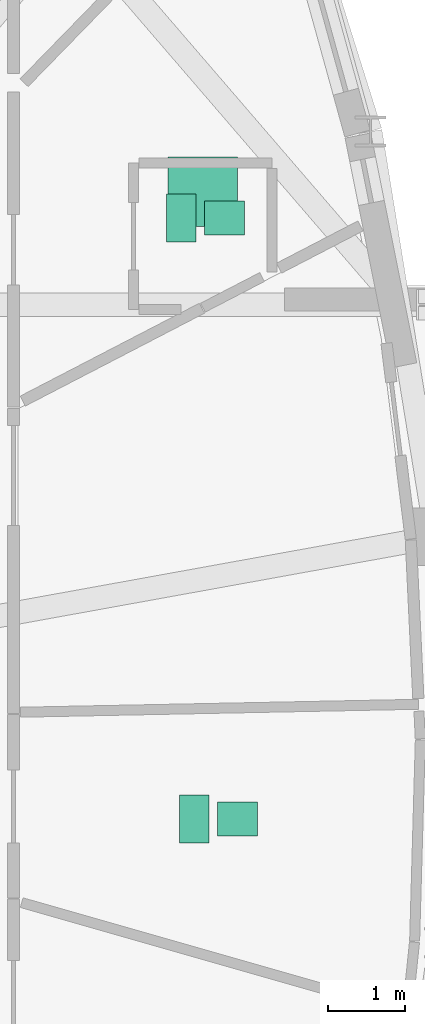
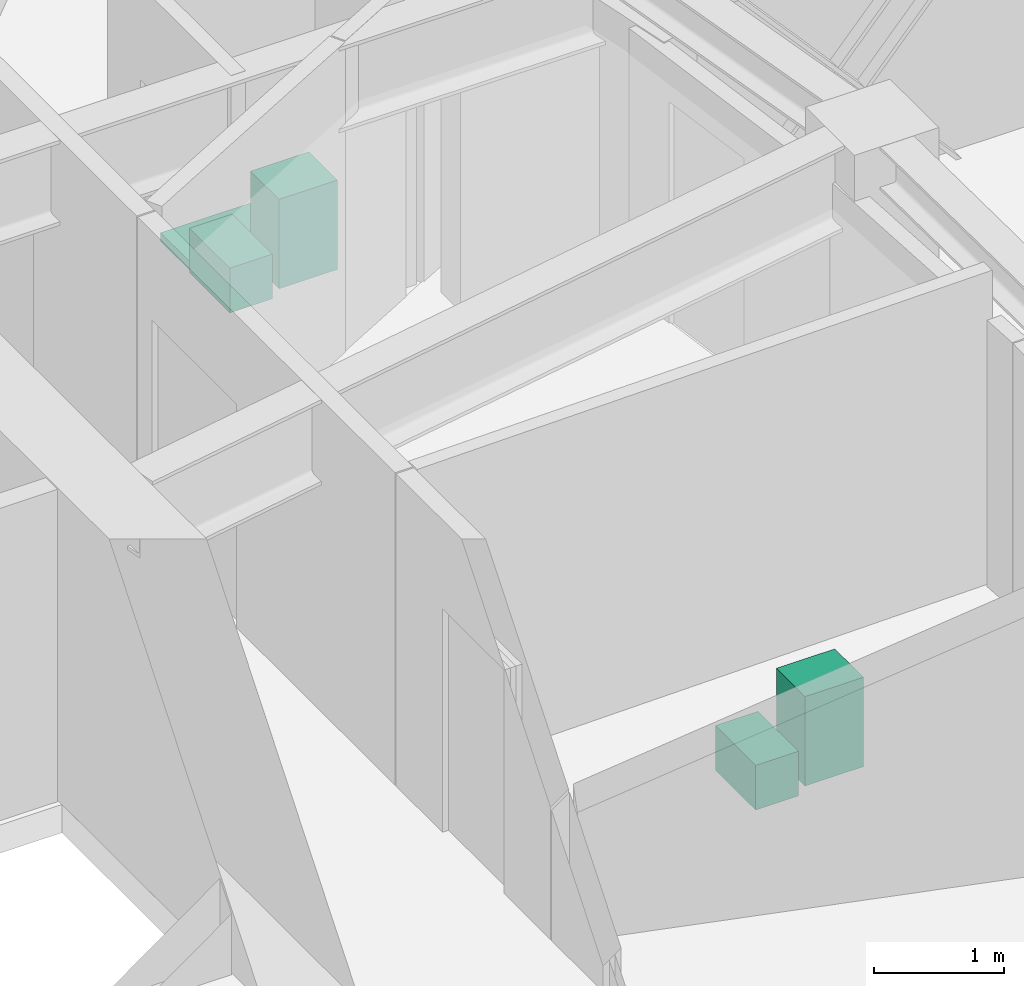
# One storey, part 13 of 13: 5 sanitary terminals.
"""IFC4 building model written with IfcOpenShell, lengths in metres."""

from ifc_helpers import new_model, si_unit, direction, frame, origin, origin_2d, place, context, subcontext, project, spatial, rectangle, extrude, source, transform, mapped, material, type_object, element, save


model = new_model("IFC4")

# Units and contexts
model_context = context("Model", 3, precision=1e-05, world=origin(), true_north=direction((0.0, 1.0)))
body_context = subcontext(model_context, "Body", "Model", "MODEL_VIEW")
ifc_project = project(units=[si_unit("LENGTHUNIT", "METRE"), si_unit("AREAUNIT", "SQUARE_METRE"), si_unit("VOLUMEUNIT", "CUBIC_METRE"), si_unit("PLANEANGLEUNIT", "RADIAN"), si_unit("MASSUNIT", "GRAM", prefix="KILO")], contexts=[model_context])

# Site, building, storey
site_placement = place(None, origin())
site = spatial("IfcSite", under=ifc_project, at=site_placement, CompositionType="ELEMENT")
building_placement = place(site_placement, origin())
building = spatial("IfcBuilding", under=site, at=building_placement, Name="Qafzar Sky-Pleat Residences", CompositionType="ELEMENT")
storey_placement = place(building_placement, frame((0.0, 0.0, 155.39990234375)))
storey = spatial("IfcBuildingStorey", under=building, at=storey_placement, Name="L46", CompositionType="ELEMENT", Elevation=155.39990234375)

# Sanitary terminals
ifc_material_1 = material(Name="Vitreous china sanitaryware")
sanitary_terminal_type_1 = type_object("IfcSanitaryTerminalType", Name="SAN-WC-PAN", PredefinedType="TOILETPAN", material=ifc_material_1)
shared_shape_1 = source(origin(), body_context, "Body", "SweptSolid", [
    extrude(rectangle(XDim=0.3798828125, YDim=0.6201171875, at=origin_2d()), origin(), (0.0, 0.0, 1.0), 0.419921875),
])
for number, where, z_axis, x_axis, name in (
    (1, (40.67626953125, 24.77490234375, 0.000244140625), (0.0, 0.0, 1.0), (1.0, 0.0, 0.0), "L46 Accessible Shared Washroom WC Pan"),
    (2, (40.507080078125, 32.576904296875, 0.000244140625), (0.0, 0.0, 1.0), (1.0, 0.0, 0.0), "L46 En-suite Bathroom 1 WC Pan"),
):
    element("IfcSanitaryTerminal", number, at=place(storey_placement, frame(where, z_axis=z_axis, x_axis=x_axis)), inside=storey, type_object=sanitary_terminal_type_1, Name=name, PredefinedType="TOILETPAN", context=body_context, shape_type="MappedRepresentation", body=[
        mapped(shared_shape_1, transform((0.0, 0.0, 0.0), x_axis=(1.0, 0.0, 0.0), y_axis=(0.0, 1.0, 0.0), z_axis=(0.0, 0.0, 1.0), scale=1.0)),
    ])
sanitary_terminal_type_2 = type_object("IfcSanitaryTerminalType", Name="SAN-BASIN", PredefinedType="WASHHANDBASIN", material=ifc_material_1)
shared_shape_2 = source(origin(), body_context, "Body", "SweptSolid", [
    extrude(rectangle(XDim=0.52001953125, YDim=0.43994140625, at=origin_2d()), origin(), (0.0, 0.0, 1.0), 0.840087890625),
])
for number, where, z_axis, x_axis, name in (
    (3, (41.236083984375, 24.77490234375, 0.0), (0.0, 0.0, 1.0), (1.0, 0.0, 0.0), "L46 Accessible Shared Washroom Pedestal Washbasin"),
    (4, (41.06689453125, 32.576904296875, 0.0), (0.0, 0.0, 1.0), (1.0, 0.0, 0.0), "L46 En-suite Bathroom 1 Pedestal Washbasin"),
):
    element("IfcSanitaryTerminal", number, at=place(storey_placement, frame(where, z_axis=z_axis, x_axis=x_axis)), inside=storey, type_object=sanitary_terminal_type_2, Name=name, PredefinedType="WASHHANDBASIN", context=body_context, shape_type="MappedRepresentation", body=[
        mapped(shared_shape_2, transform((0.0, 0.0, 0.0), x_axis=(1.0, 0.0, 0.0), y_axis=(0.0, 1.0, 0.0), z_axis=(0.0, 0.0, 1.0), scale=1.0)),
    ])
ifc_material_2 = material(Name="Vitreous china and acrylic tray")
sanitary_terminal_type_3 = type_object("IfcSanitaryTerminalType", Name="SAN-SHOWER", PredefinedType="SHOWER", material=ifc_material_2)
shared_shape_3 = source(origin(), body_context, "Body", "SweptSolid", [
    extrude(rectangle(XDim=0.89990234375, YDim=0.89990234375, at=origin_2d()), origin(), (0.0, 0.0, 1.0), 0.080078125),
])
sanitary_terminal_placement = place(storey_placement, frame((40.787109375, 32.9169921875, 0.0), z_axis=(0.0, 0.0, 1.0), x_axis=(1.0, 0.0, 0.0)))
element("IfcSanitaryTerminal", 5, at=sanitary_terminal_placement, inside=storey, type_object=sanitary_terminal_type_3, Name="L46 En-suite Bathroom 1 Walk-In Shower", PredefinedType="SHOWER", context=body_context, shape_type="MappedRepresentation", body=[
    mapped(shared_shape_3, transform((0.0, 0.0, 0.0), x_axis=(1.0, 0.0, 0.0), y_axis=(0.0, 1.0, 0.0), z_axis=(0.0, 0.0, 1.0), scale=1.0)),
])

save(model, "model.ifc")
